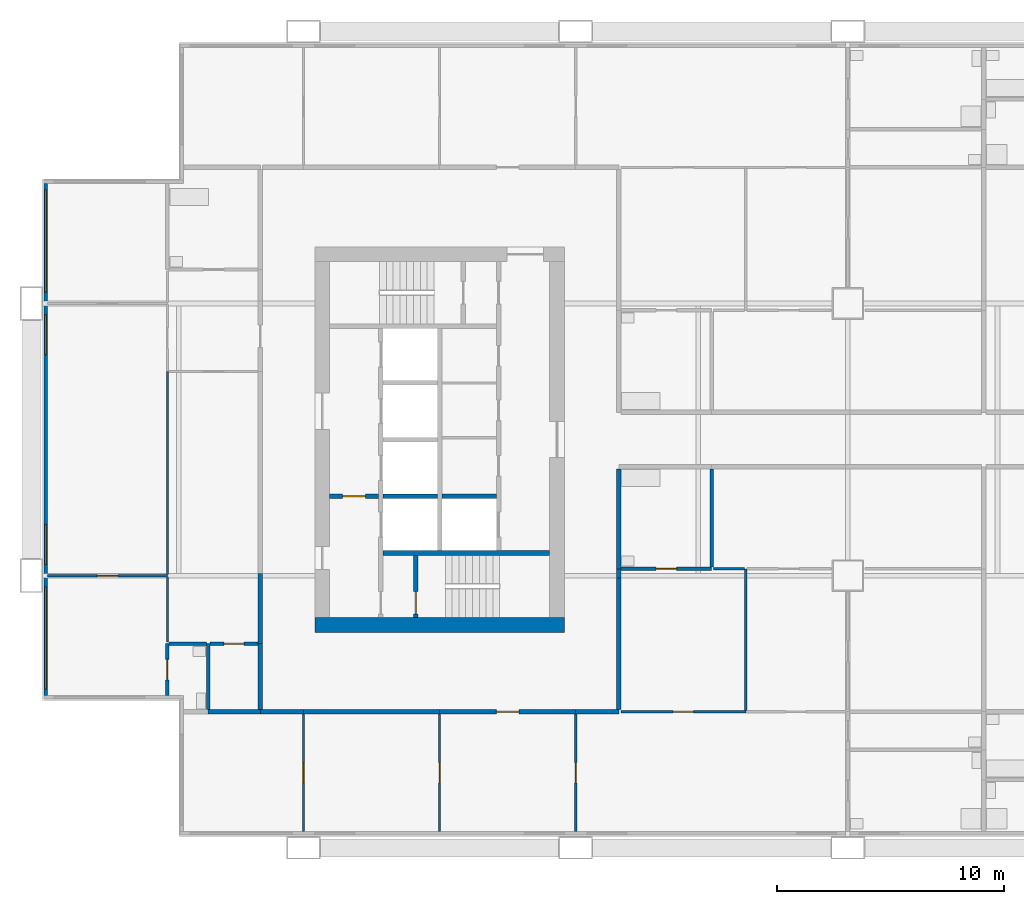
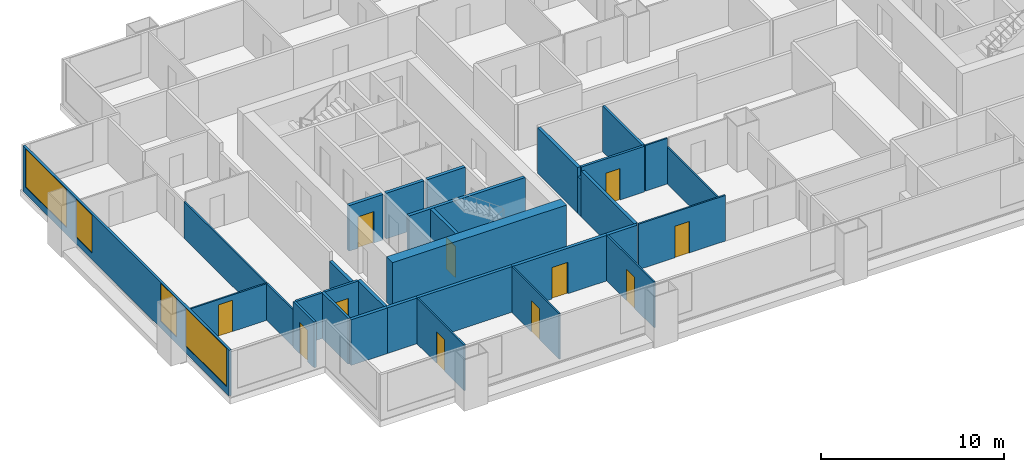
# One storey, part 2 of 10: 32 walls, 11 doors, 4 windows, 15 openings.
"""IFC4 building model written with IfcOpenShell, lengths in metres."""

from ifc_helpers import new_model, si_unit, direction, frame, frame_2d, origin, place, context, subcontext, project, spatial, rectangle, extrude, material, layer, layer_set, type_object, element, fill, save


model = new_model("IFC4")

# Units and contexts
model_context = context("Model", 3, precision=1e-05, world=origin(), true_north=direction((0.0, 1.0)))
body_context = subcontext(model_context, "Body", "Model", "MODEL_VIEW")
ifc_project = project(units=[si_unit("LENGTHUNIT", "METRE"), si_unit("AREAUNIT", "SQUARE_METRE"), si_unit("VOLUMEUNIT", "CUBIC_METRE"), si_unit("PLANEANGLEUNIT", "RADIAN"), si_unit("MASSUNIT", "GRAM", prefix="KILO")], contexts=[model_context])

# Site, building, storey
site_placement = place(None, origin())
site = spatial("IfcSite", under=ifc_project, at=site_placement, CompositionType="ELEMENT")
building_placement = place(site_placement, origin())
building = spatial("IfcBuilding", under=site, at=building_placement, Name="Kitamizu Gate Tower and Museum", CompositionType="ELEMENT")
storey_placement = place(building_placement, frame((0.0, 0.0, 117.300048828125)))
storey = spatial("IfcBuildingStorey", under=building, at=storey_placement, Name="L30", CompositionType="ELEMENT", Elevation=117.300048828125)

# Wall
ifc_material_1 = material(Name="Concrete Fc60", Category="concrete")
ifc_layer_1 = layer(ifc_material_1, 0.64990234375)
ifc_layer_set_1 = layer_set([ifc_layer_1], Name="Concrete Fc60")
wall_type_1 = type_object("IfcWallType", Name="Core wall 650", PredefinedType="SHEAR", material=ifc_layer_set_1)
wall_1_placement = place(storey_placement, frame((12.5, 21.824951171875, 0.0), z_axis=(0.0, 0.0, 1.0), x_axis=(1.0, 0.0, 0.0)))
element("IfcWall", 1, at=wall_1_placement, inside=storey, type_object=wall_type_1, Name="Core wall WS", PredefinedType="SHEAR", context=body_context, shape_type="SweptSolid", body=[
    extrude(rectangle(XDim=11.0, YDim=0.64990234375, at=frame_2d((5.5, 0.0))), origin(), (0.0, 0.0, 1.0), 3.050048828125),
])

# Wall, opening, door
ifc_material_2 = material(Name="Gypsum board on galvanised stud")
ifc_layer_2 = layer(ifc_material_2, 0.10009765625)
ifc_layer_set_2 = layer_set([ifc_layer_2], Name="Gypsum board on galvanised stud")
wall_type_2 = type_object("IfcWallType", Name="Partition 100 NOT RATED", PredefinedType="PARTITIONING", material=ifc_layer_set_2)
wall_2_placement = place(storey_placement, frame((12.0, 12.719970703125, 0.0), z_axis=(0.0, 0.0, 1.0), x_axis=(0.0, 1.0, 0.0)))
wall_2 = element("IfcWall", 2, at=wall_2_placement, inside=storey, type_object=wall_type_2, Name="Partition L30-001", PredefinedType="PARTITIONING", context=body_context, shape_type="SweptSolid", body=[
    extrude(rectangle(XDim=5.179931640625, YDim=0.10009765625, at=frame_2d((2.58984375, 0.0))), origin(), (0.0, 0.0, 1.0), 3.050048828125),
])
opening_1_placement = place(wall_2_placement, frame((2.139892578125, 0.0, 0.0)))
opening_1 = element("IfcOpeningElement", 3, at=opening_1_placement, cuts=wall_2, Name="Opening L30-011", PredefinedType="OPENING", context=body_context, shape_type="SweptSolid", body=[
    extrude(rectangle(XDim=0.89990234375, YDim=2.10009765625, at=frame_2d((0.449951171875, 1.050048828125))), frame((0.0, 0.06005859375, 0.0), z_axis=(0.0, -1.0, 0.0), x_axis=(1.0, 0.0, 0.0)), (0.0, 0.0, 1.0), 0.1201171875),
])
ifc_material_3 = material(Name="Timber door set", Category="wood")
door_type_1 = type_object("IfcDoorType", Name="Room door 900", OperationType="NOTDEFINED", PredefinedType="DOOR", material=ifc_material_3)
door_1_placement = place(opening_1_placement, origin())
door_1 = element("IfcDoor", 4, at=door_1_placement, inside=storey, type_object=door_type_1, Name="Door L30-011", OperationType="SINGLE_SWING_RIGHT", OverallHeight=2.10009765625, OverallWidth=0.89990234375, PredefinedType="DOOR", context=body_context, shape_type="SweptSolid", body=[
    extrude(rectangle(XDim=0.89990234375, YDim=2.10009765625, at=frame_2d((0.449951171875, 1.050048828125))), frame((0.0, 0.02490234375, 0.0), z_axis=(0.0, -1.0, 0.0), x_axis=(1.0, 0.0, 0.0)), (0.0, 0.0, 1.0), 0.050048828125),
])
fill(opening_1, door_1)

wall_3_placement = place(storey_placement, frame((18.0, 12.719970703125, 0.0), z_axis=(0.0, 0.0, 1.0), x_axis=(0.0, 1.0, 0.0)))
wall_3 = element("IfcWall", 5, at=wall_3_placement, inside=storey, type_object=wall_type_2, Name="Partition L30-005", PredefinedType="PARTITIONING", context=body_context, shape_type="SweptSolid", body=[
    extrude(rectangle(XDim=5.179931640625, YDim=0.10009765625, at=frame_2d((2.58984375, 0.0))), origin(), (0.0, 0.0, 1.0), 3.050048828125),
])
opening_2_placement = place(wall_3_placement, frame((2.139892578125, 0.0, 0.0)))
opening_2 = element("IfcOpeningElement", 6, at=opening_2_placement, cuts=wall_3, Name="Opening L30-006", PredefinedType="OPENING", context=body_context, shape_type="SweptSolid", body=[
    extrude(rectangle(XDim=0.89990234375, YDim=2.10009765625, at=frame_2d((0.449951171875, 1.050048828125))), frame((0.0, 0.06005859375, 0.0), z_axis=(0.0, -1.0, 0.0), x_axis=(1.0, 0.0, 0.0)), (0.0, 0.0, 1.0), 0.1201171875),
])
door_2_placement = place(opening_2_placement, origin())
door_2 = element("IfcDoor", 7, at=door_2_placement, inside=storey, type_object=door_type_1, Name="Door L30-006", OperationType="SINGLE_SWING_LEFT", OverallHeight=2.10009765625, OverallWidth=0.89990234375, PredefinedType="DOOR", context=body_context, shape_type="SweptSolid", body=[
    extrude(rectangle(XDim=0.89990234375, YDim=2.10009765625, at=frame_2d((0.449951171875, 1.050048828125))), frame((0.0, 0.02490234375, 0.0), z_axis=(0.0, -1.0, 0.0), x_axis=(1.0, 0.0, 0.0)), (0.0, 0.0, 1.0), 0.050048828125),
])
fill(opening_2, door_2)

wall_4_placement = place(storey_placement, frame((24.0, 12.719970703125, 0.0), z_axis=(0.0, 0.0, 1.0), x_axis=(0.0, 1.0, 0.0)))
wall_4 = element("IfcWall", 8, at=wall_4_placement, inside=storey, type_object=wall_type_2, Name="Partition L30-007", PredefinedType="PARTITIONING", context=body_context, shape_type="SweptSolid", body=[
    extrude(rectangle(XDim=5.179931640625, YDim=0.10009765625, at=frame_2d((2.58984375, 0.0))), origin(), (0.0, 0.0, 1.0), 3.050048828125),
])
opening_3_placement = place(wall_4_placement, frame((2.139892578125, 0.0, 0.0)))
opening_3 = element("IfcOpeningElement", 9, at=opening_3_placement, cuts=wall_4, Name="Opening L30-002", PredefinedType="OPENING", context=body_context, shape_type="SweptSolid", body=[
    extrude(rectangle(XDim=0.89990234375, YDim=2.10009765625, at=frame_2d((0.449951171875, 1.050048828125))), frame((0.0, 0.06005859375, 0.0), z_axis=(0.0, -1.0, 0.0), x_axis=(1.0, 0.0, 0.0)), (0.0, 0.0, 1.0), 0.1201171875),
])
door_3_placement = place(opening_3_placement, frame((0.89990234375, 0.0, 0.0), x_axis=(-1.0, 0.0, 0.0)))
door_3 = element("IfcDoor", 10, at=door_3_placement, inside=storey, type_object=door_type_1, Name="Door L30-002", OperationType="SINGLE_SWING_RIGHT", OverallHeight=2.10009765625, OverallWidth=0.89990234375, PredefinedType="DOOR", context=body_context, shape_type="SweptSolid", body=[
    extrude(rectangle(XDim=0.89990234375, YDim=2.10009765625, at=frame_2d((0.449951171875, 1.050048828125))), frame((0.0, 0.02490234375, 0.0), z_axis=(0.0, -1.0, 0.0), x_axis=(1.0, 0.0, 0.0)), (0.0, 0.0, 1.0), 0.050048828125),
])
fill(opening_3, door_3)

wall_5_placement = place(storey_placement, frame((31.5, 18.0, 0.0), z_axis=(0.0, 0.0, 1.0), x_axis=(-1.0, 0.0, 0.0)))
wall_5 = element("IfcWall", 11, at=wall_5_placement, inside=storey, type_object=wall_type_2, Name="Partition L30-011", PredefinedType="PARTITIONING", context=body_context, shape_type="SweptSolid", body=[
    extrude(rectangle(XDim=5.5, YDim=0.10009765625, at=frame_2d((2.75, 0.0))), origin(), (0.0, 0.0, 1.0), 3.050048828125),
])
opening_4_placement = place(wall_5_placement, frame((2.300048828125, 0.0, 0.0)))
opening_4 = element("IfcOpeningElement", 12, at=opening_4_placement, cuts=wall_5, Name="Opening L30-003", PredefinedType="OPENING", context=body_context, shape_type="SweptSolid", body=[
    extrude(rectangle(XDim=0.89990234375, YDim=2.10009765625, at=frame_2d((0.449951171875, 1.050048828125))), frame((0.0, 0.06005859375, 0.0), z_axis=(0.0, -1.0, 0.0), x_axis=(1.0, 0.0, 0.0)), (0.0, 0.0, 1.0), 0.1201171875),
])
door_4_placement = place(opening_4_placement, frame((0.89990234375, 0.0, 0.0), x_axis=(-1.0, 0.0, 0.0)))
door_4 = element("IfcDoor", 13, at=door_4_placement, inside=storey, type_object=door_type_1, Name="Door L30-003", OperationType="SINGLE_SWING_LEFT", OverallHeight=2.10009765625, OverallWidth=0.89990234375, PredefinedType="DOOR", context=body_context, shape_type="SweptSolid", body=[
    extrude(rectangle(XDim=0.89990234375, YDim=2.10009765625, at=frame_2d((0.449951171875, 1.050048828125))), frame((0.0, 0.02490234375, 0.0), z_axis=(0.0, -1.0, 0.0), x_axis=(1.0, 0.0, 0.0)), (0.0, 0.0, 1.0), 0.050048828125),
])
fill(opening_4, door_4)

# Walls
wall_6_placement = place(storey_placement, frame((31.5, 18.050048828125, 0.0), z_axis=(0.0, 0.0, 1.0), x_axis=(0.0, 1.0, 0.0)))
element("IfcWall", 14, at=wall_6_placement, inside=storey, type_object=wall_type_2, Name="Partition L30-019", PredefinedType="PARTITIONING", context=body_context, shape_type="SweptSolid", body=[
    extrude(rectangle(XDim=6.25, YDim=0.10009765625, at=frame_2d((3.125, 0.0))), origin(), (0.0, 0.0, 1.0), 2.449951171875),
])
wall_7_placement = place(storey_placement, frame((31.449951171875, 24.300048828125, 0.0), z_axis=(0.0, 0.0, 1.0), x_axis=(-1.0, 0.0, 0.0)))
element("IfcWall", 15, at=wall_7_placement, inside=storey, type_object=wall_type_2, Name="Partition L30-021", PredefinedType="PARTITIONING", context=body_context, shape_type="SweptSolid", body=[
    extrude(rectangle(XDim=1.375, YDim=0.10009765625, at=frame_2d((0.6875, 0.0))), origin(), (0.0, 0.0, 1.0), 3.050048828125),
])

# Wall, opening, door
wall_8_placement = place(storey_placement, frame((6.0, 24.0, 0.0), z_axis=(0.0, 0.0, 1.0), x_axis=(-1.0, 0.0, 0.0)))
wall_8 = element("IfcWall", 16, at=wall_8_placement, inside=storey, type_object=wall_type_2, Name="Partition L30-034", PredefinedType="PARTITIONING", context=body_context, shape_type="SweptSolid", body=[
    extrude(rectangle(XDim=5.280029296875, YDim=0.10009765625, at=frame_2d((2.64013671875, 0.0))), origin(), (0.0, 0.0, 1.0), 2.449951171875),
])
opening_5_placement = place(wall_8_placement, frame((2.18994140625, 0.0, 0.0)))
opening_5 = element("IfcOpeningElement", 17, at=opening_5_placement, cuts=wall_8, Name="Opening L30-015", PredefinedType="OPENING", context=body_context, shape_type="SweptSolid", body=[
    extrude(rectangle(XDim=0.89990234375, YDim=2.10009765625, at=frame_2d((0.449951171875, 1.050048828125))), frame((0.0, 0.06005859375, 0.0), z_axis=(0.0, -1.0, 0.0), x_axis=(1.0, 0.0, 0.0)), (0.0, 0.0, 1.0), 0.1201171875),
])
door_5_placement = place(opening_5_placement, origin())
door_5 = element("IfcDoor", 18, at=door_5_placement, inside=storey, type_object=door_type_1, Name="Door L30-015", OperationType="SINGLE_SWING_RIGHT", OverallHeight=2.10009765625, OverallWidth=0.89990234375, PredefinedType="DOOR", context=body_context, shape_type="SweptSolid", body=[
    extrude(rectangle(XDim=0.89990234375, YDim=2.10009765625, at=frame_2d((0.449951171875, 1.050048828125))), frame((0.0, 0.02490234375, 0.0), z_axis=(0.0, -1.0, 0.0), x_axis=(1.0, 0.0, 0.0)), (0.0, 0.0, 1.0), 0.050048828125),
])
fill(opening_5, door_5)

# Walls
wall_9_placement = place(storey_placement, frame((6.0, 21.074951171875, 0.0), z_axis=(0.0, 0.0, 1.0), x_axis=(0.0, 1.0, 0.0)))
element("IfcWall", 19, at=wall_9_placement, inside=storey, type_object=wall_type_2, Name="Partition L30-036", PredefinedType="PARTITIONING", context=body_context, shape_type="SweptSolid", body=[
    extrude(rectangle(XDim=2.875, YDim=0.10009765625, at=frame_2d((1.4375, 0.0))), origin(), (0.0, 0.0, 1.0), 2.449951171875),
])
wall_10_placement = place(storey_placement, frame((6.0, 24.050048828125, 0.0), z_axis=(0.0, 0.0, 1.0), x_axis=(0.0, 1.0, 0.0)))
element("IfcWall", 20, at=wall_10_placement, inside=storey, type_object=wall_type_2, Name="Partition L30-038", PredefinedType="PARTITIONING", context=body_context, shape_type="SweptSolid", body=[
    extrude(rectangle(XDim=8.949951171875, YDim=0.10009765625, at=frame_2d((4.47509765625, 0.0))), origin(), (0.0, 0.0, 1.0), 2.449951171875),
])

# Wall, opening, door
ifc_material_4 = material(Name="Gypsum board on galvanised stud")
ifc_layer_3 = layer(ifc_material_4, 0.14990234375)
ifc_layer_set_3 = layer_set([ifc_layer_3], Name="Gypsum board on galvanised stud")
wall_type_3 = type_object("IfcWallType", Name="Partition 150", PredefinedType="PARTITIONING", material=ifc_layer_set_3)
wall_11_placement = place(storey_placement, frame((30.0, 24.300048828125, 0.0), z_axis=(0.0, 0.0, 1.0), x_axis=(-1.0, 0.0, 0.0)))
wall_11 = element("IfcWall", 21, at=wall_11_placement, inside=storey, type_object=wall_type_3, Name="Partition L30-020", PredefinedType="PARTITIONING", context=body_context, shape_type="SweptSolid", body=[
    extrude(rectangle(XDim=4.0, YDim=0.14990234375, at=frame_2d((2.0, 0.0))), origin(), (0.0, 0.0, 1.0), 3.050048828125),
])
opening_6_placement = place(wall_11_placement, frame((1.550048828125, 0.0, 0.0)))
opening_6 = element("IfcOpeningElement", 22, at=opening_6_placement, cuts=wall_11, Name="Opening L30-009", PredefinedType="OPENING", context=body_context, shape_type="SweptSolid", body=[
    extrude(rectangle(XDim=0.89990234375, YDim=2.10009765625, at=frame_2d((0.449951171875, 1.050048828125))), frame((0.0, 0.0849609375, 0.0), z_axis=(0.0, -1.0, 0.0), x_axis=(1.0, 0.0, 0.0)), (0.0, 0.0, 1.0), 0.169921875),
])
ifc_material_5 = material(Name="Timber door set", Category="wood")
door_type_2 = type_object("IfcDoorType", Name="Bathroom door 900", OperationType="NOTDEFINED", PredefinedType="DOOR", material=ifc_material_5)
door_6_placement = place(opening_6_placement, frame((0.89990234375, 0.0, 0.0), x_axis=(-1.0, 0.0, 0.0)))
door_6 = element("IfcDoor", 23, at=door_6_placement, inside=storey, type_object=door_type_2, Name="Bathroom door L30-009", OperationType="SINGLE_SWING_LEFT", OverallHeight=2.10009765625, OverallWidth=0.89990234375, PredefinedType="DOOR", context=body_context, shape_type="SweptSolid", body=[
    extrude(rectangle(XDim=0.89990234375, YDim=2.10009765625, at=frame_2d((0.449951171875, 1.050048828125))), frame((0.0, 0.02490234375, 0.0), z_axis=(0.0, -1.0, 0.0), x_axis=(1.0, 0.0, 0.0)), (0.0, 0.0, 1.0), 0.050048828125),
])
fill(opening_6, door_6)

# Wall
wall_12_placement = place(storey_placement, frame((30.0, 24.375, 0.0), z_axis=(0.0, 0.0, 1.0), x_axis=(0.0, 1.0, 0.0)))
element("IfcWall", 24, at=wall_12_placement, inside=storey, type_object=wall_type_3, Name="Partition L30-028", PredefinedType="PARTITIONING", context=body_context, shape_type="SweptSolid", body=[
    extrude(rectangle(XDim=4.324951171875, YDim=0.14990234375, at=frame_2d((2.16259765625, 0.0))), origin(), (0.0, 0.0, 1.0), 3.050048828125),
])

# Wall, opening, door
wall_13_placement = place(storey_placement, frame((6.0, 18.719970703125, 0.0), z_axis=(0.0, 0.0, 1.0), x_axis=(0.0, 1.0, 0.0)))
wall_13 = element("IfcWall", 25, at=wall_13_placement, inside=storey, type_object=wall_type_3, Name="Partition L30-035", PredefinedType="PARTITIONING", context=body_context, shape_type="SweptSolid", body=[
    extrude(rectangle(XDim=2.280029296875, YDim=0.14990234375, at=frame_2d((1.14013671875, 0.0))), origin(), (0.0, 0.0, 1.0), 3.050048828125),
])
opening_7_placement = place(wall_13_placement, frame((0.68994140625, 0.0, 0.0)))
opening_7 = element("IfcOpeningElement", 26, at=opening_7_placement, cuts=wall_13, Name="Opening L30-017", PredefinedType="OPENING", context=body_context, shape_type="SweptSolid", body=[
    extrude(rectangle(XDim=0.89990234375, YDim=2.10009765625, at=frame_2d((0.449951171875, 1.050048828125))), frame((0.0, 0.0849609375, 0.0), z_axis=(0.0, -1.0, 0.0), x_axis=(1.0, 0.0, 0.0)), (0.0, 0.0, 1.0), 0.169921875),
])
door_7_placement = place(opening_7_placement, frame((0.89990234375, 0.0, 0.0), x_axis=(-1.0, 0.0, 0.0)))
door_7 = element("IfcDoor", 27, at=door_7_placement, inside=storey, type_object=door_type_2, Name="Bathroom door L30-017", OperationType="SINGLE_SWING_LEFT", OverallHeight=2.10009765625, OverallWidth=0.89990234375, PredefinedType="DOOR", context=body_context, shape_type="SweptSolid", body=[
    extrude(rectangle(XDim=0.89990234375, YDim=2.10009765625, at=frame_2d((0.449951171875, 1.050048828125))), frame((0.0, 0.02490234375, 0.0), z_axis=(0.0, -1.0, 0.0), x_axis=(1.0, 0.0, 0.0)), (0.0, 0.0, 1.0), 0.050048828125),
])
fill(opening_7, door_7)

# Walls
wall_14_placement = place(storey_placement, frame((7.800048828125, 18.10009765625, 0.0), z_axis=(0.0, 0.0, 1.0), x_axis=(0.0, 1.0, 0.0)))
element("IfcWall", 28, at=wall_14_placement, inside=storey, type_object=wall_type_3, Name="Partition L30-042", PredefinedType="PARTITIONING", context=body_context, shape_type="SweptSolid", body=[
    extrude(rectangle(XDim=2.89990234375, YDim=0.14990234375, at=frame_2d((1.449951171875, 0.0))), origin(), (0.0, 0.0, 1.0), 3.050048828125),
])
wall_15_placement = place(storey_placement, frame((7.72509765625, 21.0, 0.0), z_axis=(0.0, 0.0, 1.0), x_axis=(-1.0, 0.0, 0.0)))
element("IfcWall", 29, at=wall_15_placement, inside=storey, type_object=wall_type_3, Name="Partition L30-043", PredefinedType="PARTITIONING", context=body_context, shape_type="SweptSolid", body=[
    extrude(rectangle(XDim=1.650146484375, YDim=0.14990234375, at=frame_2d((0.8251953125, 0.0))), origin(), (0.0, 0.0, 1.0), 3.050048828125),
])

# Wall, opening, door
wall_16_placement = place(storey_placement, frame((10.0, 21.0, 0.0), z_axis=(0.0, 0.0, 1.0), x_axis=(-1.0, 0.0, 0.0)))
wall_16 = element("IfcWall", 30, at=wall_16_placement, inside=storey, type_object=wall_type_3, Name="Partition L30-044", PredefinedType="PARTITIONING", context=body_context, shape_type="SweptSolid", body=[
    extrude(rectangle(XDim=2.125, YDim=0.14990234375, at=frame_2d((1.0625, 0.0))), origin(), (0.0, 0.0, 1.0), 3.050048828125),
])
opening_8_placement = place(wall_16_placement, frame((0.612548828125, 0.0, 0.0)))
opening_8 = element("IfcOpeningElement", 31, at=opening_8_placement, cuts=wall_16, Name="Opening L30-018", PredefinedType="OPENING", context=body_context, shape_type="SweptSolid", body=[
    extrude(rectangle(XDim=0.89990234375, YDim=2.10009765625, at=frame_2d((0.449951171875, 1.050048828125))), frame((0.0, 0.0849609375, 0.0), z_axis=(0.0, -1.0, 0.0), x_axis=(1.0, 0.0, 0.0)), (0.0, 0.0, 1.0), 0.169921875),
])
door_8_placement = place(opening_8_placement, origin())
door_8 = element("IfcDoor", 32, at=door_8_placement, inside=storey, type_object=door_type_2, Name="Bathroom door L30-018", OperationType="SINGLE_SWING_LEFT", OverallHeight=2.10009765625, OverallWidth=0.89990234375, PredefinedType="DOOR", context=body_context, shape_type="SweptSolid", body=[
    extrude(rectangle(XDim=0.89990234375, YDim=2.10009765625, at=frame_2d((0.449951171875, 1.050048828125))), frame((0.0, 0.02490234375, 0.0), z_axis=(0.0, -1.0, 0.0), x_axis=(1.0, 0.0, 0.0)), (0.0, 0.0, 1.0), 0.050048828125),
])
fill(opening_8, door_8)

# Walls
ifc_material_6 = material(Name="Gypsum board on galvanised stud")
ifc_layer_4 = layer(ifc_material_6, 0.199951171875)
ifc_layer_set_4 = layer_set([ifc_layer_4], Name="Gypsum board on galvanised stud")
wall_type_4 = type_object("IfcWallType", Name="Partition 200", PredefinedType="PARTITIONING", material=ifc_layer_set_4)
wall_17_placement = place(storey_placement, frame((10.10009765625, 18.0, 0.0), z_axis=(0.0, 0.0, 1.0), x_axis=(-1.0, 0.0, 0.0)))
element("IfcWall", 33, at=wall_17_placement, inside=storey, type_object=wall_type_4, Name="Partition L30-003", PredefinedType="PARTITIONING", context=body_context, shape_type="SweptSolid", body=[
    extrude(rectangle(XDim=2.300048828125, YDim=0.199951171875, at=frame_2d((1.14990234375, 0.0))), origin(), (0.0, 0.0, 1.0), 3.050048828125),
])
wall_18_placement = place(storey_placement, frame((12.0, 18.0, 0.0), z_axis=(0.0, 0.0, 1.0), x_axis=(-1.0, 0.0, 0.0)))
element("IfcWall", 34, at=wall_18_placement, inside=storey, type_object=wall_type_4, Name="Partition L30-004", PredefinedType="PARTITIONING", context=body_context, shape_type="SweptSolid", body=[
    extrude(rectangle(XDim=1.89990234375, YDim=0.199951171875, at=frame_2d((0.949951171875, 0.0))), origin(), (0.0, 0.0, 1.0), 3.050048828125),
])
wall_19_placement = place(storey_placement, frame((18.0, 18.0, 0.0), z_axis=(0.0, 0.0, 1.0), x_axis=(-1.0, 0.0, 0.0)))
element("IfcWall", 35, at=wall_19_placement, inside=storey, type_object=wall_type_4, Name="Partition L30-006", PredefinedType="PARTITIONING", context=body_context, shape_type="SweptSolid", body=[
    extrude(rectangle(XDim=6.0, YDim=0.199951171875, at=frame_2d((3.0, 0.0))), origin(), (0.0, 0.0, 1.0), 3.050048828125),
])

# Wall, opening, door
wall_20_placement = place(storey_placement, frame((24.0, 18.0, 0.0), z_axis=(0.0, 0.0, 1.0), x_axis=(-1.0, 0.0, 0.0)))
wall_20 = element("IfcWall", 36, at=wall_20_placement, inside=storey, type_object=wall_type_4, Name="Partition L30-008", PredefinedType="PARTITIONING", context=body_context, shape_type="SweptSolid", body=[
    extrude(rectangle(XDim=6.0, YDim=0.199951171875, at=frame_2d((3.0, 0.0))), origin(), (0.0, 0.0, 1.0), 3.050048828125),
])
opening_9_placement = place(wall_20_placement, frame((2.5, 0.0, 0.0)))
opening_9 = element("IfcOpeningElement", 37, at=opening_9_placement, cuts=wall_20, Name="Opening L30-001", PredefinedType="OPENING", context=body_context, shape_type="SweptSolid", body=[
    extrude(rectangle(XDim=1.0, YDim=2.10009765625, at=frame_2d((0.5, 1.050048828125))), frame((0.0, 0.10986328125, 0.0), z_axis=(0.0, -1.0, 0.0), x_axis=(1.0, 0.0, 0.0)), (0.0, 0.0, 1.0), 0.219970703125),
])
ifc_material_7 = material(Name="Timber door set", Category="wood")
door_type_3 = type_object("IfcDoorType", Name="Flat entrance door 1000", OperationType="NOTDEFINED", PredefinedType="DOOR", material=ifc_material_7)
door_9_placement = place(opening_9_placement, origin())
door_9 = element("IfcDoor", 38, at=door_9_placement, inside=storey, type_object=door_type_3, Name="Flat entrance door L30-001", OperationType="SINGLE_SWING_RIGHT", OverallHeight=2.10009765625, OverallWidth=1.0, PredefinedType="DOOR", context=body_context, shape_type="SweptSolid", body=[
    extrude(rectangle(XDim=1.0, YDim=2.10009765625, at=frame_2d((0.5, 1.050048828125))), frame((0.0, 0.02490234375, 0.0), z_axis=(0.0, -1.0, 0.0), x_axis=(1.0, 0.0, 0.0)), (0.0, 0.0, 1.0), 0.050048828125),
])
fill(opening_9, door_9)

# Walls
wall_21_placement = place(storey_placement, frame((25.89990234375, 18.0, 0.0), z_axis=(0.0, 0.0, 1.0), x_axis=(-1.0, 0.0, 0.0)))
element("IfcWall", 39, at=wall_21_placement, inside=storey, type_object=wall_type_4, Name="Partition L30-013", PredefinedType="PARTITIONING", context=body_context, shape_type="SweptSolid", body=[
    extrude(rectangle(XDim=1.89990234375, YDim=0.199951171875, at=frame_2d((0.949951171875, 0.0))), origin(), (0.0, 0.0, 1.0), 3.050048828125),
])
wall_22_placement = place(storey_placement, frame((25.89990234375, 24.300048828125, 0.0), z_axis=(0.0, 0.0, 1.0), x_axis=(0.0, -1.0, 0.0)))
element("IfcWall", 40, at=wall_22_placement, inside=storey, type_object=wall_type_4, Name="Partition L30-022", PredefinedType="PARTITIONING", context=body_context, shape_type="SweptSolid", body=[
    extrude(rectangle(XDim=0.400146484375, YDim=0.199951171875, at=frame_2d((0.2001953125, 0.0))), origin(), (0.0, 0.0, 1.0), 2.449951171875),
])
wall_23_placement = place(storey_placement, frame((25.89990234375, 23.89990234375, 0.0), z_axis=(0.0, 0.0, 1.0), x_axis=(0.0, -1.0, 0.0)))
element("IfcWall", 41, at=wall_23_placement, inside=storey, type_object=wall_type_4, Name="Partition L30-023", PredefinedType="PARTITIONING", context=body_context, shape_type="SweptSolid", body=[
    extrude(rectangle(XDim=5.7998046875, YDim=0.199951171875, at=frame_2d((2.89990234375, 0.0))), origin(), (0.0, 0.0, 1.0), 3.050048828125),
])
wall_24_placement = place(storey_placement, frame((25.89990234375, 28.699951171875, 0.0), z_axis=(0.0, 0.0, 1.0), x_axis=(0.0, -1.0, 0.0)))
element("IfcWall", 42, at=wall_24_placement, inside=storey, type_object=wall_type_4, Name="Partition L30-030", PredefinedType="PARTITIONING", context=body_context, shape_type="SweptSolid", body=[
    extrude(rectangle(XDim=4.39990234375, YDim=0.199951171875, at=frame_2d((2.199951171875, 0.0))), origin(), (0.0, 0.0, 1.0), 3.050048828125),
])
wall_25_placement = place(storey_placement, frame((10.10009765625, 18.10009765625, 0.0), z_axis=(0.0, 0.0, 1.0), x_axis=(0.0, 1.0, 0.0)))
element("IfcWall", 43, at=wall_25_placement, inside=storey, type_object=wall_type_4, Name="Partition L30-045", PredefinedType="PARTITIONING", context=body_context, shape_type="SweptSolid", body=[
    extrude(rectangle(XDim=2.89990234375, YDim=0.199951171875, at=frame_2d((1.449951171875, 0.0))), origin(), (0.0, 0.0, 1.0), 3.050048828125),
])
wall_26_placement = place(storey_placement, frame((10.10009765625, 21.0, 0.0), z_axis=(0.0, 0.0, 1.0), x_axis=(0.0, 1.0, 0.0)))
element("IfcWall", 44, at=wall_26_placement, inside=storey, type_object=wall_type_4, Name="Partition L30-047", PredefinedType="PARTITIONING", context=body_context, shape_type="SweptSolid", body=[
    extrude(rectangle(XDim=3.10009765625, YDim=0.199951171875, at=frame_2d((1.550048828125, 0.0))), origin(), (0.0, 0.0, 1.0), 2.449951171875),
])
ifc_material_8 = material(Name="Concrete Fc42", Category="concrete")
ifc_layer_5 = layer(ifc_material_8, 0.199951171875)
ifc_layer_set_5 = layer_set([ifc_layer_5], Name="Concrete Fc42")
wall_type_5 = type_object("IfcWallType", Name="Shaft wall 200", PredefinedType="SOLIDWALL", material=ifc_layer_set_5)
wall_27_placement = place(storey_placement, frame((15.5, 25.0, 0.0), z_axis=(0.0, 0.0, 1.0), x_axis=(1.0, 0.0, 0.0)))
element("IfcWall", 45, at=wall_27_placement, inside=storey, type_object=wall_type_5, Name="Shaft wall WSB", PredefinedType="SOLIDWALL", context=body_context, shape_type="SweptSolid", body=[
    extrude(rectangle(XDim=7.35009765625, YDim=0.199951171875, at=frame_2d((3.675048828125, 0.0))), origin(), (0.0, 0.0, 1.0), 3.050048828125),
])

# Wall, opening, door
wall_28_placement = place(storey_placement, frame((13.14990234375, 27.5, 0.0), z_axis=(0.0, 0.0, 1.0), x_axis=(1.0, 0.0, 0.0)))
wall_28 = element("IfcWall", 46, at=wall_28_placement, inside=storey, type_object=wall_type_5, Name="Shaft wall WFFN", PredefinedType="SOLIDWALL", context=body_context, shape_type="SweptSolid", body=[
    extrude(rectangle(XDim=2.150146484375, YDim=0.199951171875, at=frame_2d((1.0751953125, 0.0))), origin(), (0.0, 0.0, 1.0), 3.050048828125),
])
opening_10_placement = place(wall_28_placement, frame((0.574951171875, 0.0, 0.0)))
opening_10 = element("IfcOpeningElement", 47, at=opening_10_placement, cuts=wall_28, Name="Opening L30-052", PredefinedType="OPENING", context=body_context, shape_type="SweptSolid", body=[
    extrude(rectangle(XDim=1.0, YDim=2.10009765625, at=frame_2d((0.5, 1.050048828125))), frame((0.0, 0.10986328125, 0.0), z_axis=(0.0, -1.0, 0.0), x_axis=(1.0, 0.0, 0.0)), (0.0, 0.0, 1.0), 0.219970703125),
])
ifc_material_9 = material(Name="Hollow metal door set")
door_type_4 = type_object("IfcDoorType", Name="Fire door 1000", OperationType="NOTDEFINED", PredefinedType="DOOR", material=ifc_material_9)
door_10_placement = place(opening_10_placement, frame((1.0, 0.0, 0.0), x_axis=(-1.0, 0.0, 0.0)))
door_10 = element("IfcDoor", 48, at=door_10_placement, inside=storey, type_object=door_type_4, Name="Fire-fighting lobby door L30-052", OperationType="SINGLE_SWING_RIGHT", OverallHeight=2.10009765625, OverallWidth=1.0, PredefinedType="DOOR", context=body_context, shape_type="SweptSolid", body=[
    extrude(rectangle(XDim=1.0, YDim=2.10009765625, at=frame_2d((0.5, 1.050048828125))), frame((0.0, 0.02490234375, 0.0), z_axis=(0.0, -1.0, 0.0), x_axis=(1.0, 0.0, 0.0)), (0.0, 0.0, 1.0), 0.050048828125),
])
fill(opening_10, door_10)

wall_29_placement = place(storey_placement, frame((16.949951171875, 22.14990234375, 0.0), z_axis=(0.0, 0.0, 1.0), x_axis=(0.0, 1.0, 0.0)))
wall_29 = element("IfcWall", 49, at=wall_29_placement, inside=storey, type_object=wall_type_5, Name="Shaft wall WSZ", PredefinedType="SOLIDWALL", context=body_context, shape_type="SweptSolid", body=[
    extrude(rectangle(XDim=2.75, YDim=0.199951171875, at=frame_2d((1.375, 0.0))), origin(), (0.0, 0.0, 1.0), 3.050048828125),
])
opening_11_placement = place(wall_29_placement, frame((0.14990234375, 0.0, 0.0)))
opening_11 = element("IfcOpeningElement", 50, at=opening_11_placement, cuts=wall_29, Name="Opening L30-048", PredefinedType="OPENING", context=body_context, shape_type="SweptSolid", body=[
    extrude(rectangle(XDim=1.0, YDim=2.10009765625, at=frame_2d((0.5, 1.050048828125))), frame((0.0, 0.10986328125, 0.0), z_axis=(0.0, -1.0, 0.0), x_axis=(1.0, 0.0, 0.0)), (0.0, 0.0, 1.0), 0.219970703125),
])
door_11_placement = place(opening_11_placement, frame((1.0, 0.0, 0.0), x_axis=(-1.0, 0.0, 0.0)))
door_11 = element("IfcDoor", 51, at=door_11_placement, inside=storey, type_object=door_type_4, Name="Stair door L30-048", OperationType="SINGLE_SWING_LEFT", OverallHeight=2.10009765625, OverallWidth=1.0, PredefinedType="DOOR", context=body_context, shape_type="SweptSolid", body=[
    extrude(rectangle(XDim=1.0, YDim=2.10009765625, at=frame_2d((0.5, 1.050048828125))), frame((0.0, 0.02490234375, 0.0), z_axis=(0.0, -1.0, 0.0), x_axis=(1.0, 0.0, 0.0)), (0.0, 0.0, 1.0), 0.050048828125),
])
fill(opening_11, door_11)

# Walls
for number, where, z_axis, x_axis, name in (
    (52, (15.5, 27.5, 0.0), (0.0, 0.0, 1.0), (1.0, 0.0, 0.0), "Shaft wall WDVW0"),
    (53, (18.10009765625, 27.5, 0.0), (0.0, 0.0, 1.0), (1.0, 0.0, 0.0), "Shaft wall WDVE0"),
):
    element("IfcWall", number, at=place(storey_placement, frame(where, z_axis=z_axis, x_axis=x_axis)), inside=storey, type_object=wall_type_5, Name=name, PredefinedType="SOLIDWALL", context=body_context, shape_type="SweptSolid", body=[
        extrude(rectangle(XDim=2.39990234375, YDim=0.199951171875, at=frame_2d((1.199951171875, 0.0))), origin(), (0.0, 0.0, 1.0), 3.050048828125),
    ])

# Wall, openings, windows
ifc_material_10 = material(Name="Bronze anodised aluminium frame with insulated spandrel and tinted glass", Category="aluminium")
ifc_layer_6 = layer(ifc_material_10, 0.14990234375)
ifc_layer_set_6 = layer_set([ifc_layer_6], Name="Bronze anodised aluminium frame with insulated spandrel and tinted glass")
wall_type_6 = type_object("IfcWallType", Name="WINDOW WALL 150 BRONZE FRAME EI 30", PredefinedType="ELEMENTEDWALL", material=ifc_layer_set_6)
wall_30_placement = place(storey_placement, frame((0.635009765625, 18.7099609375, 0.0), z_axis=(0.0, 0.0, 1.0), x_axis=(0.0, 1.0, 0.0)))
wall_30 = element("IfcWall", 54, at=wall_30_placement, inside=storey, type_object=wall_type_6, Name="Window wall west L30", PredefinedType="ELEMENTEDWALL", context=body_context, shape_type="SweptSolid", body=[
    extrude(rectangle(XDim=22.580078125, YDim=0.14990234375, at=frame_2d((11.2900390625, 0.0))), origin(), (0.0, 0.0, 1.0), 3.050048828125),
])
opening_12_placement = place(wall_30_placement, frame((0.2900390625, 0.0, 0.449951171875)))
opening_12 = element("IfcOpeningElement", 55, at=opening_12_placement, cuts=wall_30, Name="Opening W15", PredefinedType="OPENING", context=body_context, shape_type="SweptSolid", body=[
    extrude(rectangle(XDim=4.5, YDim=2.550048828125, at=frame_2d((2.25, 1.27490234375))), frame((0.0, 0.0849609375, 0.0), z_axis=(0.0, -1.0, 0.0), x_axis=(1.0, 0.0, 0.0)), (0.0, 0.0, 1.0), 0.169921875),
])
opening_13_placement = place(wall_30_placement, frame((5.7900390625, 0.0, 0.449951171875)))
opening_13 = element("IfcOpeningElement", 56, at=opening_13_placement, cuts=wall_30, Name="Opening W29", PredefinedType="OPENING", context=body_context, shape_type="SweptSolid", body=[
    extrude(rectangle(XDim=1.75, YDim=2.550048828125, at=frame_2d((0.875, 1.27490234375))), frame((0.0, 0.0849609375, 0.0), z_axis=(0.0, -1.0, 0.0), x_axis=(1.0, 0.0, 0.0)), (0.0, 0.0, 1.0), 0.169921875),
])
opening_14_placement = place(wall_30_placement, frame((15.0400390625, 0.0, 0.449951171875)))
opening_14 = element("IfcOpeningElement", 57, at=opening_14_placement, cuts=wall_30, Name="Opening W29", PredefinedType="OPENING", context=body_context, shape_type="SweptSolid", body=[
    extrude(rectangle(XDim=1.75, YDim=2.550048828125, at=frame_2d((0.875, 1.27490234375))), frame((0.0, 0.0849609375, 0.0), z_axis=(0.0, -1.0, 0.0), x_axis=(1.0, 0.0, 0.0)), (0.0, 0.0, 1.0), 0.169921875),
])
opening_15_placement = place(wall_30_placement, frame((17.7900390625, 0.0, 0.449951171875)))
opening_15 = element("IfcOpeningElement", 58, at=opening_15_placement, cuts=wall_30, Name="Opening W15", PredefinedType="OPENING", context=body_context, shape_type="SweptSolid", body=[
    extrude(rectangle(XDim=4.5, YDim=2.550048828125, at=frame_2d((2.25, 1.27490234375))), frame((0.0, 0.0849609375, 0.0), z_axis=(0.0, -1.0, 0.0), x_axis=(1.0, 0.0, 0.0)), (0.0, 0.0, 1.0), 0.169921875),
])
ifc_material_11 = material(Name="Bronze anodised aluminium frame, tinted triple glazing", Category="aluminium")
window_type_1 = type_object("IfcWindowType", Name="WINDOW 1750 x 2550 SILL 450", PartitioningType="SINGLE_PANEL", PredefinedType="WINDOW", material=ifc_material_11)
window_1_placement = place(opening_13_placement, origin())
window_1 = element("IfcWindow", 59, at=window_1_placement, inside=storey, type_object=window_type_1, Name="Window W29 L30", OverallHeight=2.550048828125, OverallWidth=1.75, PartitioningType="SINGLE_PANEL", PredefinedType="WINDOW", context=body_context, shape_type="SweptSolid", body=[
    extrude(rectangle(XDim=1.75, YDim=2.550048828125, at=frame_2d((0.875, 1.27490234375))), frame((0.0, 0.030029296875, 0.0), z_axis=(0.0, -1.0, 0.0), x_axis=(1.0, 0.0, 0.0)), (0.0, 0.0, 1.0), 0.06005859375),
])
fill(opening_13, window_1)
window_2_placement = place(opening_14_placement, origin())
window_2 = element("IfcWindow", 60, at=window_2_placement, inside=storey, type_object=window_type_1, Name="Window W29 L30", OverallHeight=2.550048828125, OverallWidth=1.75, PartitioningType="SINGLE_PANEL", PredefinedType="WINDOW", context=body_context, shape_type="SweptSolid", body=[
    extrude(rectangle(XDim=1.75, YDim=2.550048828125, at=frame_2d((0.875, 1.27490234375))), frame((0.0, 0.030029296875, 0.0), z_axis=(0.0, -1.0, 0.0), x_axis=(1.0, 0.0, 0.0)), (0.0, 0.0, 1.0), 0.06005859375),
])
fill(opening_14, window_2)
ifc_material_12 = material(Name="Bronze anodised aluminium frame, tinted triple glazing", Category="aluminium")
window_type_2 = type_object("IfcWindowType", Name="WINDOW 4500 x 2550 SILL 450", PartitioningType="SINGLE_PANEL", PredefinedType="WINDOW", material=ifc_material_12)
window_3_placement = place(opening_12_placement, origin())
window_3 = element("IfcWindow", 61, at=window_3_placement, inside=storey, type_object=window_type_2, Name="Window W15 L30", OverallHeight=2.550048828125, OverallWidth=4.5, PartitioningType="SINGLE_PANEL", PredefinedType="WINDOW", context=body_context, shape_type="SweptSolid", body=[
    extrude(rectangle(XDim=4.5, YDim=2.550048828125, at=frame_2d((2.25, 1.27490234375))), frame((0.0, 0.030029296875, 0.0), z_axis=(0.0, -1.0, 0.0), x_axis=(1.0, 0.0, 0.0)), (0.0, 0.0, 1.0), 0.06005859375),
])
fill(opening_12, window_3)
window_4_placement = place(opening_15_placement, origin())
window_4 = element("IfcWindow", 62, at=window_4_placement, inside=storey, type_object=window_type_2, Name="Window W15 L30", OverallHeight=2.550048828125, OverallWidth=4.5, PartitioningType="SINGLE_PANEL", PredefinedType="WINDOW", context=body_context, shape_type="SweptSolid", body=[
    extrude(rectangle(XDim=4.5, YDim=2.550048828125, at=frame_2d((2.25, 1.27490234375))), frame((0.0, 0.030029296875, 0.0), z_axis=(0.0, -1.0, 0.0), x_axis=(1.0, 0.0, 0.0)), (0.0, 0.0, 1.0), 0.06005859375),
])
fill(opening_15, window_4)

save(model, "model.ifc")
